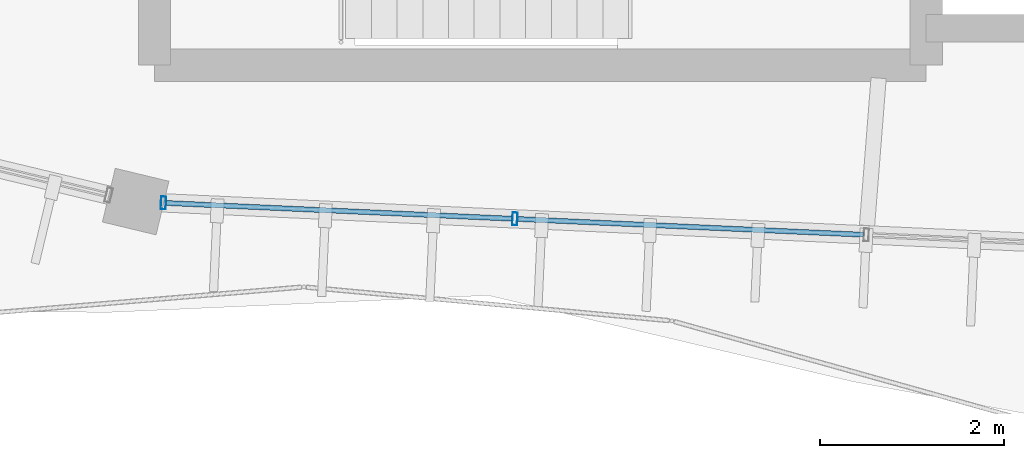
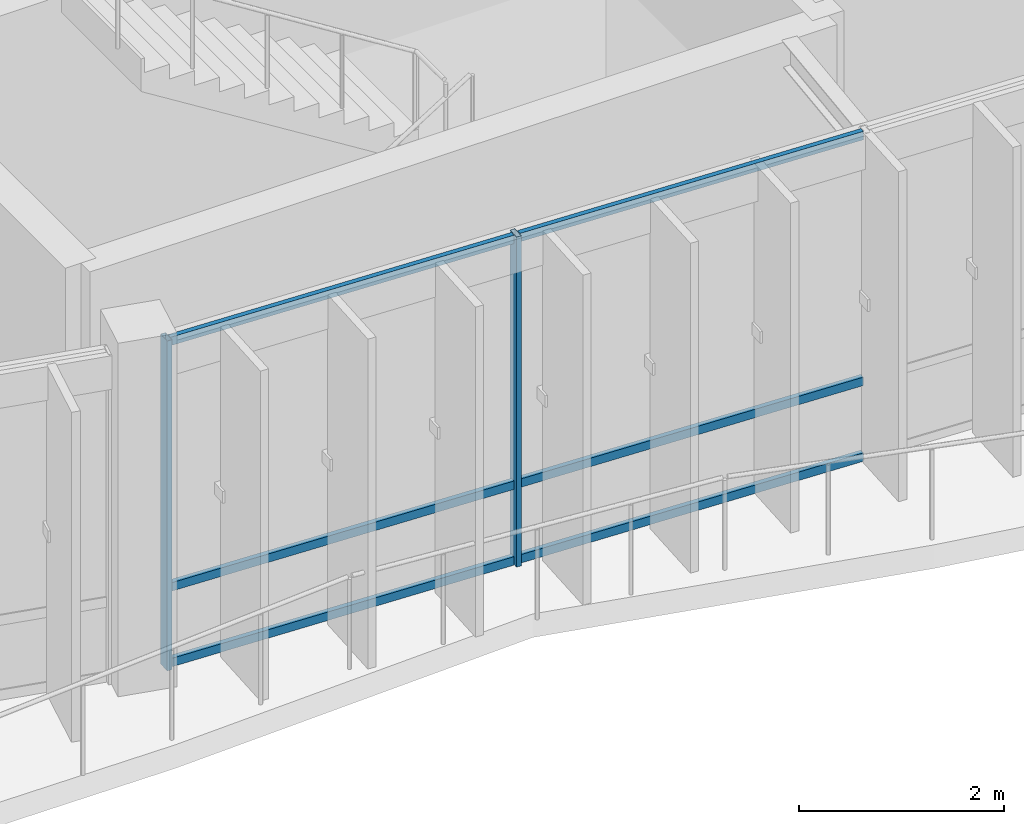
# One storey, part 8 of 83: 8 members, 1 element without a shape of its own.
"""IFC4 building model written with IfcOpenShell, lengths in metres."""

from ifc_helpers import new_model, si_unit, direction, frame, origin, origin_2d, place, context, subcontext, project, spatial, hollow_rectangle, extrude, material, material_profile, profile_set, type_object, element, aggregate, save


model = new_model("IFC4")

# Units and contexts
model_context = context("Model", 3, precision=1e-05, world=origin(), true_north=direction((0.0, 1.0)))
body_context = subcontext(model_context, "Body", "Model", "MODEL_VIEW")
ifc_project = project(units=[si_unit("LENGTHUNIT", "METRE"), si_unit("AREAUNIT", "SQUARE_METRE"), si_unit("VOLUMEUNIT", "CUBIC_METRE"), si_unit("PLANEANGLEUNIT", "RADIAN"), si_unit("MASSUNIT", "GRAM", prefix="KILO"), si_unit("THERMODYNAMICTEMPERATUREUNIT", "KELVIN"), si_unit("POWERUNIT", "WATT")], contexts=[model_context])

# Site, building, storey
site_placement = place(None, origin())
site = spatial("IfcSite", under=ifc_project, at=site_placement, CompositionType="ELEMENT")
building_placement = place(site_placement, origin())
building = spatial("IfcBuilding", under=site, at=building_placement, Name="Darbajah Civic Hall", CompositionType="ELEMENT")
storey_placement = place(building_placement, frame((0.0, 0.0, 18.0)))
storey = spatial("IfcBuildingStorey", under=building, at=storey_placement, Name="L04", CompositionType="ELEMENT", Elevation=18.0)

# Curtain wall, members
ifc_material_1 = material(Name="Anodised Bronze Aluminium and Low-E Glazing", Category="aluminium")
curtain_wall_type = type_object("IfcCurtainWallType", Name="Unitised Curtain Wall CW-61 15300x3900", PredefinedType="USERDEFINED", material=ifc_material_1)
curtain_wall_placement = place(storey_placement, origin())
curtain_wall = element("IfcCurtainWall", 1, at=curtain_wall_placement, inside=storey, type_object=curtain_wall_type, Name="L04 unitised curtain wall CW-V1O-L04-14", ObjectType="UNITISED CURTAIN WALL", PredefinedType="USERDEFINED")
ifc_material_2 = material(Name="Anodised Bronze Aluminium", Category="aluminium")
ifc_material_profile_1 = material_profile(ifc_material_2, hollow_rectangle(XDim=0.054931640625, YDim=0.139892578125, WallThickness=0.003173828125, at=origin_2d()), Name="ALU MULLION 55x140")
ifc_profile_set_1 = profile_set([ifc_material_profile_1], Name="Anodised Bronze Aluminium")
member_type_1 = type_object("IfcMemberType", Name="ALU MULLION 55x140", PredefinedType="MULLION", material=ifc_profile_set_1)
member_1_placement = place(storey_placement, frame((77.49609375, 61.101318359375, 0.0), z_axis=(0.0, 0.0, 1.0), x_axis=(0.998962637241, -0.045537340693, 0.0)))
member_1 = element("IfcMember", 2, at=member_1_placement, type_object=member_type_1, Name="CW-V1O-L04-14 mullion 1", PredefinedType="MULLION", context=body_context, shape_type="SweptSolid", body=[
    extrude(hollow_rectangle(XDim=0.054931640625, YDim=0.139892578125, WallThickness=0.003173828125, at=origin_2d()), origin(), (0.0, 0.0, 1.0), 3.919921875),
])
member_2_placement = place(storey_placement, frame((81.322021484375, 60.92724609375, 0.0), z_axis=(0.0, 0.0, 1.0), x_axis=(0.998962637241, -0.045537340693, 0.0)))
member_2 = element("IfcMember", 3, at=member_2_placement, type_object=member_type_1, Name="CW-V1O-L04-14 mullion 2", PredefinedType="MULLION", context=body_context, shape_type="SweptSolid", body=[
    extrude(hollow_rectangle(XDim=0.054931640625, YDim=0.139892578125, WallThickness=0.003173828125, at=origin_2d()), origin(), (0.0, 0.0, 1.0), 3.919921875),
])
ifc_material_profile_2 = material_profile(ifc_material_2, hollow_rectangle(XDim=0.054931640625, YDim=0.10009765625, WallThickness=0.0029296875, at=origin_2d()), Name="ALU TRANSOM 55x100")
ifc_profile_set_2 = profile_set([ifc_material_profile_2], Name="Anodised Bronze Aluminium")
member_type_2 = type_object("IfcMemberType", Name="ALU TRANSOM 55x100", PredefinedType="USERDEFINED", material=ifc_profile_set_2)
member_3_placement = place(storey_placement, frame((77.528564453125, 61.099853515625, 0.050048828125), z_axis=(0.998966265975, -0.045457666501, 0.0), x_axis=(0.045457666501, 0.998966265975, 0.0)))
member_3 = element("IfcMember", 4, at=member_3_placement, type_object=member_type_2, Name="CW-V1O-L04-14 transom 1.1", ObjectType="TRANSOM", PredefinedType="USERDEFINED", context=body_context, shape_type="SweptSolid", body=[
    extrude(hollow_rectangle(XDim=0.054931640625, YDim=0.10009765625, WallThickness=0.0029296875, at=origin_2d()), origin(), (0.0, 0.0, 1.0), 3.764892578125),
])
member_4_placement = place(storey_placement, frame((77.528564453125, 61.099853515625, 0.949951171875), z_axis=(0.998966265975, -0.045457666501, 0.0), x_axis=(0.045457666501, 0.998966265975, 0.0)))
member_4 = element("IfcMember", 5, at=member_4_placement, type_object=member_type_2, Name="CW-V1O-L04-14 transom 1.2", ObjectType="TRANSOM", PredefinedType="USERDEFINED", context=body_context, shape_type="SweptSolid", body=[
    extrude(hollow_rectangle(XDim=0.054931640625, YDim=0.10009765625, WallThickness=0.0029296875, at=origin_2d()), origin(), (0.0, 0.0, 1.0), 3.764892578125),
])
member_5_placement = place(storey_placement, frame((77.528564453125, 61.099853515625, 3.8701171875), z_axis=(0.998966265975, -0.045457666501, 0.0), x_axis=(0.045457666501, 0.998966265975, 0.0)))
member_5 = element("IfcMember", 6, at=member_5_placement, type_object=member_type_2, Name="CW-V1O-L04-14 transom 1.3", ObjectType="TRANSOM", PredefinedType="USERDEFINED", context=body_context, shape_type="SweptSolid", body=[
    extrude(hollow_rectangle(XDim=0.054931640625, YDim=0.10009765625, WallThickness=0.0029296875, at=origin_2d()), origin(), (0.0, 0.0, 1.0), 3.764892578125),
])
member_6_placement = place(storey_placement, frame((81.3544921875, 60.92578125, 0.050048828125), z_axis=(0.998963319147, -0.0455223791, 0.0), x_axis=(0.0455223791, 0.998963319147, 0.0)))
member_6 = element("IfcMember", 7, at=member_6_placement, type_object=member_type_2, Name="CW-V1O-L04-14 transom 2.1", ObjectType="TRANSOM", PredefinedType="USERDEFINED", context=body_context, shape_type="SweptSolid", body=[
    extrude(hollow_rectangle(XDim=0.054931640625, YDim=0.10009765625, WallThickness=0.0029296875, at=origin_2d()), origin(), (0.0, 0.0, 1.0), 3.764892578125),
])
member_7_placement = place(storey_placement, frame((81.3544921875, 60.92578125, 0.949951171875), z_axis=(0.998963319147, -0.0455223791, 0.0), x_axis=(0.0455223791, 0.998963319147, 0.0)))
member_7 = element("IfcMember", 8, at=member_7_placement, type_object=member_type_2, Name="CW-V1O-L04-14 transom 2.2", ObjectType="TRANSOM", PredefinedType="USERDEFINED", context=body_context, shape_type="SweptSolid", body=[
    extrude(hollow_rectangle(XDim=0.054931640625, YDim=0.10009765625, WallThickness=0.0029296875, at=origin_2d()), origin(), (0.0, 0.0, 1.0), 3.764892578125),
])
member_8_placement = place(storey_placement, frame((81.3544921875, 60.92578125, 3.8701171875), z_axis=(0.998963319147, -0.0455223791, 0.0), x_axis=(0.0455223791, 0.998963319147, 0.0)))
member_8 = element("IfcMember", 9, at=member_8_placement, type_object=member_type_2, Name="CW-V1O-L04-14 transom 2.3", ObjectType="TRANSOM", PredefinedType="USERDEFINED", context=body_context, shape_type="SweptSolid", body=[
    extrude(hollow_rectangle(XDim=0.054931640625, YDim=0.10009765625, WallThickness=0.0029296875, at=origin_2d()), origin(), (0.0, 0.0, 1.0), 3.764892578125),
])
aggregate(curtain_wall, [member_1, member_2, member_3, member_4, member_5, member_6, member_7, member_8])

save(model, "model.ifc")
